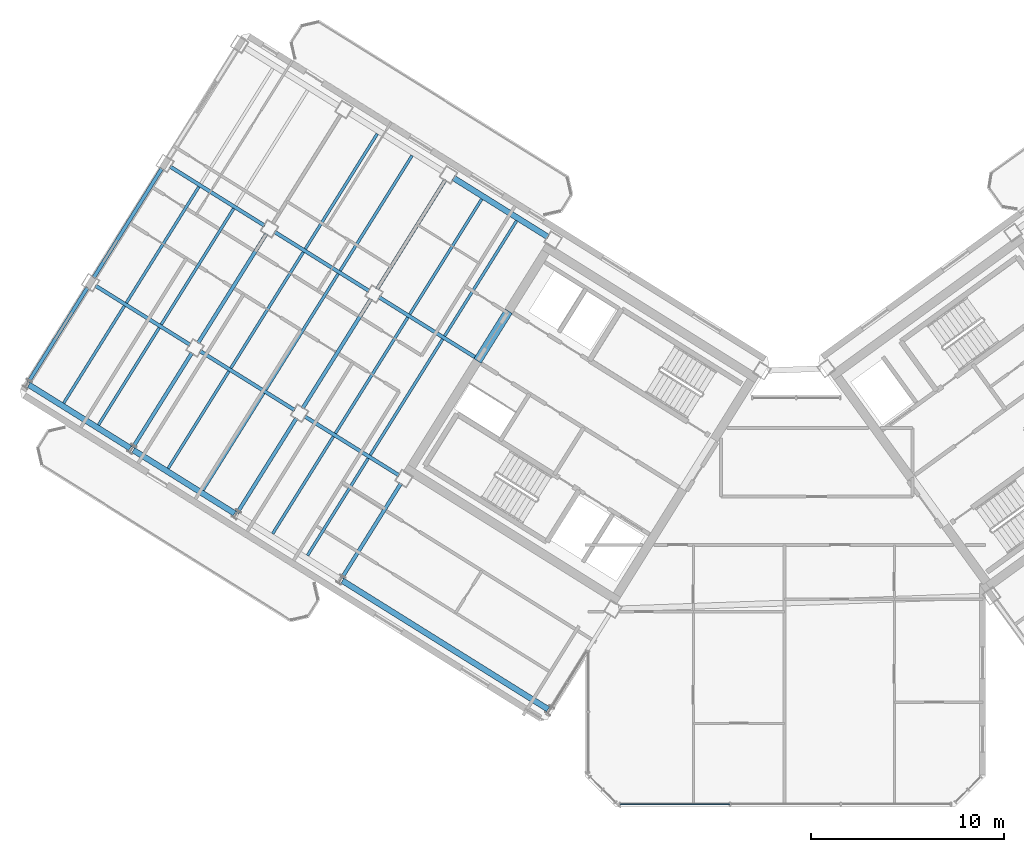
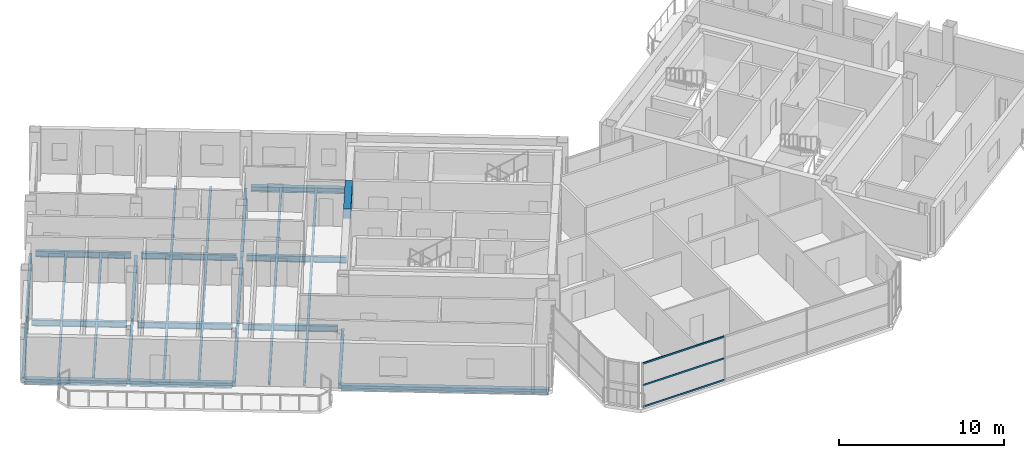
# One storey, part 7 of 25: 35 beams, 3 members, 1 element without a shape of its own.
"""IFC4 building model written with IfcOpenShell, lengths in metres."""

from ifc_helpers import new_model, si_unit, direction, frame, origin, origin_2d, place, context, subcontext, project, spatial, rectangle, hollow_rectangle, i_section, extrude, source, transform, mapped, material, material_profile, profile_set, type_object, element, aggregate, save


model = new_model("IFC4")

# Units and contexts
model_context = context("Model", 3, precision=1e-05, world=origin(), true_north=direction((0.0, 1.0)))
body_context = subcontext(model_context, "Body", "Model", "MODEL_VIEW")
ifc_project = project(units=[si_unit("LENGTHUNIT", "METRE"), si_unit("AREAUNIT", "SQUARE_METRE"), si_unit("VOLUMEUNIT", "CUBIC_METRE"), si_unit("PLANEANGLEUNIT", "RADIAN"), si_unit("MASSUNIT", "GRAM", prefix="KILO")], contexts=[model_context])

# Site, building, storey
site_placement = place(None, origin())
site = spatial("IfcSite", under=ifc_project, at=site_placement, CompositionType="ELEMENT")
building_placement = place(site_placement, origin())
building = spatial("IfcBuilding", under=site, at=building_placement, Name="Tlacorven Tower", CompositionType="ELEMENT")
storey_placement = place(building_placement, frame((0.0, 0.0, 251.10009765625)))
storey = spatial("IfcBuildingStorey", under=building, at=storey_placement, Name="L63", CompositionType="ELEMENT", Elevation=251.10009765625)

# Beams
ifc_material_1 = material(Name="Concrete C60/75", Category="concrete")
ifc_material_profile_1 = material_profile(ifc_material_1, rectangle(XDim=0.449951171875, YDim=0.699951171875, at=origin_2d()), Name="RC 450X700")
ifc_profile_set_1 = profile_set([ifc_material_profile_1], Name="Concrete C60/75")
beam_type_1 = type_object("IfcBeamType", Name="BM-LNT-700", PredefinedType="LINTEL", material=ifc_profile_set_1)
shared_shape_1 = source(origin(), body_context, "Body", "SweptSolid", [
    extrude(rectangle(XDim=0.449951171875, YDim=0.699951171875, at=origin_2d()), origin(), (0.0, 0.0, 1.0), 3.0498046875),
])
beam_1_placement = place(storey_placement, frame((27.622802734375, 27.562255859375, 2.969970703125), z_axis=(-0.529926983584, -0.848043272522, 0.0), x_axis=(0.848043272522, -0.529926983584, 0.0)))
element("IfcBeam", 1, at=beam_1_placement, inside=storey, type_object=beam_type_1, Name="L63 W core coupling lintel beam E2", PredefinedType="LINTEL", context=body_context, shape_type="MappedRepresentation", body=[
    mapped(shared_shape_1, transform((0.0, 0.0, 0.0), scale=1.0)),
])
ifc_material_2 = material(Name="Steel S355J2", Category="steel")
ifc_material_profile_2 = material_profile(ifc_material_2, i_section(OverallWidth=0.300048828125, OverallDepth=0.389892578125, WebThickness=0.010986328125, FlangeThickness=0.01904296875, at=origin_2d()), Name="HEA 400")
ifc_profile_set_2 = profile_set([ifc_material_profile_2], Name="Steel S355J2")
beam_type_2 = type_object("IfcBeamType", Name="BM-SPN-400", PredefinedType="SPANDREL", material=ifc_profile_set_2)
shared_shape_2 = source(origin(), body_context, "Body", "SweptSolid", [
    extrude(i_section(OverallWidth=0.300048828125, OverallDepth=0.389892578125, WebThickness=0.010986328125, FlangeThickness=0.01904296875, at=origin_2d()), origin(), (0.0, 0.0, 1.0), 12.599853515625),
])
beam_2_placement = place(storey_placement, frame((29.67578125, 6.882080078125, -0.445068359375), z_axis=(-0.848045108756, 0.529924045043, 0.0), x_axis=(-0.529924045043, -0.848045108756, 0.0)))
element("IfcBeam", 2, at=beam_2_placement, inside=storey, type_object=beam_type_2, Name="L63 beam BM-L63-WL4-1", PredefinedType="SPANDREL", context=body_context, shape_type="MappedRepresentation", body=[
    mapped(shared_shape_2, transform((0.0, 0.0, 0.0), scale=1.0)),
])
shared_shape_3 = source(origin(), body_context, "Body", "SweptSolid", [
    extrude(i_section(OverallWidth=0.300048828125, OverallDepth=0.389892578125, WebThickness=0.010986328125, FlangeThickness=0.01904296875, at=origin_2d()), origin(), (0.0, 0.0, 1.0), 6.199951171875),
])
for number, where, z_axis, x_axis, name in (
    (3, (13.393310546875, 17.056396484375, -0.445068359375), (-0.848033697614, 0.529942306022, 0.0), (-0.529942306022, -0.848033697614, 0.0), "L63 beam BM-L63-WL4-4"),
    (4, (7.9658203125, 20.447998046875, -0.445068359375), (-0.848051394107, 0.529913986372, 0.0), (-0.529913986372, -0.848051394107, 0.0), "L63 beam BM-L63-WL4-5"),
):
    element("IfcBeam", number, at=place(storey_placement, frame(where, z_axis=z_axis, x_axis=x_axis)), inside=storey, type_object=beam_type_2, Name=name, PredefinedType="SPANDREL", context=body_context, shape_type="MappedRepresentation", body=[
        mapped(shared_shape_3, transform((0.0, 0.0, 0.0), scale=1.0)),
    ])
shared_shape_4 = source(origin(), body_context, "Body", "SweptSolid", [
    extrude(i_section(OverallWidth=0.300048828125, OverallDepth=0.389892578125, WebThickness=0.010986328125, FlangeThickness=0.01904296875, at=origin_2d()), origin(), (0.0, 0.0, 1.0), 5.800048828125),
])
beam_3_placement = place(storey_placement, frame((29.673583984375, 31.410400390625, -0.445068359375), z_axis=(-0.848052689693, 0.529911912967, 0.0), x_axis=(-0.529911912967, -0.848052689693, 0.0)))
element("IfcBeam", 5, at=beam_3_placement, inside=storey, type_object=beam_type_2, Name="L63 beam BM-L63-WL1-3", PredefinedType="SPANDREL", context=body_context, shape_type="MappedRepresentation", body=[
    mapped(shared_shape_4, transform((0.0, 0.0, 0.0), scale=1.0)),
])
ifc_material_profile_3 = material_profile(ifc_material_2, i_section(OverallWidth=0.14990234375, OverallDepth=0.300048828125, WebThickness=0.007080078125, FlangeThickness=0.0107421875, at=origin_2d()), Name="IPE 300")
ifc_profile_set_3 = profile_set([ifc_material_profile_3], Name="Steel S355J2")
beam_type_3 = type_object("IfcBeamType", Name="BM-JST-300", PredefinedType="JOIST", material=ifc_profile_set_3)
shared_shape_5 = source(origin(), body_context, "Body", "SweptSolid", [
    extrude(i_section(OverallWidth=0.14990234375, OverallDepth=0.300048828125, WebThickness=0.007080078125, FlangeThickness=0.0107421875, at=origin_2d()), origin(), (0.0, 0.0, 1.0), 7.10009765625),
])
for number, where, z_axis, x_axis, name in (
    (6, (22.38818359375, 27.23681640625, -0.400146484375), (-0.529915484902, -0.848050457733, 0.0), (0.848050457733, -0.529915484902, 0.0), "L63 beam BM-L63-WJ3-2-2"),
    (7, (11.533203125, 34.019775390625, -0.400146484375), (-0.529915484902, -0.848050457733, 0.0), (0.848050457733, -0.529915484902, 0.0), "L63 beam BM-L63-WJ5-2-2"),
):
    element("IfcBeam", number, at=place(storey_placement, frame(where, z_axis=z_axis, x_axis=x_axis)), inside=storey, type_object=beam_type_3, Name=name, PredefinedType="JOIST", context=body_context, shape_type="MappedRepresentation", body=[
        mapped(shared_shape_5, transform((0.0, 0.0, 0.0), scale=1.0)),
    ])
shared_shape_6 = source(origin(), body_context, "Body", "SweptSolid", [
    extrude(i_section(OverallWidth=0.14990234375, OverallDepth=0.300048828125, WebThickness=0.007080078125, FlangeThickness=0.0107421875, at=origin_2d()), origin(), (0.0, 0.0, 1.0), 7.099853515625),
])
for number, where, z_axis, x_axis, name in (
    (8, (24.197509765625, 26.106201171875, -0.400146484375), (-0.529930937954, -0.848040801494, 0.0), (0.848040801494, -0.529930937954, 0.0), "L63 beam BM-L63-WJ3-2-1"),
    (9, (18.769775390625, 29.497802734375, -0.400146484375), (-0.529890754507, -0.848065910344, 0.0), (0.848065910344, -0.529890754507, 0.0), "L63 beam BM-L63-WJ4-2-1"),
    (10, (16.960693359375, 30.628173828125, -0.400146484375), (-0.529930937954, -0.848040801494, 0.0), (0.848040801494, -0.529930937954, 0.0), "L63 beam BM-L63-WJ4-2-2"),
    (11, (13.34228515625, 32.88916015625, -0.400146484375), (-0.529930937954, -0.848040801494, 0.0), (0.848040801494, -0.529930937954, 0.0), "L63 beam BM-L63-WJ5-2-1"),
):
    element("IfcBeam", number, at=place(storey_placement, frame(where, z_axis=z_axis, x_axis=x_axis)), inside=storey, type_object=beam_type_3, Name=name, PredefinedType="JOIST", context=body_context, shape_type="MappedRepresentation", body=[
        mapped(shared_shape_6, transform((0.0, 0.0, 0.0), scale=1.0)),
    ])
shared_shape_7 = source(origin(), body_context, "Body", "SweptSolid", [
    extrude(i_section(OverallWidth=0.14990234375, OverallDepth=0.300048828125, WebThickness=0.007080078125, FlangeThickness=0.0107421875, at=origin_2d()), origin(), (0.0, 0.0, 1.0), 7.044921875),
])
for number, where, z_axis, x_axis, name in (
    (12, (28.03662109375, 32.25048828125, -0.400146484375), (-0.529899256491, -0.848060598053, 0.0), (0.848060598053, -0.529899256491, 0.0), "L63 beam BM-L63-WJ3-1-1"),
    (13, (26.2275390625, 33.380859375, -0.400146484375), (-0.529939753148, -0.848035292917, 0.0), (0.848035292917, -0.529939753148, 0.0), "L63 beam BM-L63-WJ3-1-2"),
    (14, (22.609130859375, 35.641845703125, -0.400146484375), (-0.52991483005, -0.848050866925, 0.0), (0.848050866925, -0.52991483005, 0.0), "L63 beam BM-L63-WJ4-1-1"),
):
    element("IfcBeam", number, at=place(storey_placement, frame(where, z_axis=z_axis, x_axis=x_axis)), inside=storey, type_object=beam_type_3, Name=name, PredefinedType="JOIST", context=body_context, shape_type="MappedRepresentation", body=[
        mapped(shared_shape_7, transform((0.0, 0.0, 0.0), scale=1.0)),
    ])
shared_shape_8 = source(origin(), body_context, "Body", "SweptSolid", [
    extrude(i_section(OverallWidth=0.14990234375, OverallDepth=0.300048828125, WebThickness=0.007080078125, FlangeThickness=0.0107421875, at=origin_2d()), origin(), (0.0, 0.0, 1.0), 5.945068359375),
])
for number, where, z_axis, x_axis, name in (
    (15, (20.3291015625, 19.91552734375, -0.400146484375), (-0.529914037113, -0.848051362401, 0.0), (0.848051362401, -0.529914037113, 0.0), "L63 beam BM-L63-WJ3-3-1"),
    (16, (18.519775390625, 21.046142578125, -0.400146484375), (-0.529914037113, -0.848051362401, 0.0), (0.848051362401, -0.529914037113, 0.0), "L63 beam BM-L63-WJ3-3-2"),
    (17, (14.9013671875, 23.30712890625, -0.400146484375), (-0.529884501938, -0.848069817059, 0.0), (0.848069817059, -0.529884501938, 0.0), "L63 beam BM-L63-WJ4-3-1"),
    (18, (9.473876953125, 26.698486328125, -0.400146484375), (-0.529914037113, -0.848051362401, 0.0), (0.848051362401, -0.529914037113, 0.0), "L63 beam BM-L63-WJ5-3-1"),
    (19, (7.664794921875, 27.8291015625, -0.400146484375), (-0.529914037113, -0.848051362401, 0.0), (0.848051362401, -0.529914037113, 0.0), "L63 beam BM-L63-WJ5-3-2"),
):
    element("IfcBeam", number, at=place(storey_placement, frame(where, z_axis=z_axis, x_axis=x_axis)), inside=storey, type_object=beam_type_3, Name=name, PredefinedType="JOIST", context=body_context, shape_type="MappedRepresentation", body=[
        mapped(shared_shape_8, transform((0.0, 0.0, 0.0), scale=1.0)),
    ])
shared_shape_9 = source(origin(), body_context, "Body", "SweptSolid", [
    extrude(i_section(OverallWidth=0.14990234375, OverallDepth=0.300048828125, WebThickness=0.007080078125, FlangeThickness=0.0107421875, at=origin_2d()), origin(), (0.0, 0.0, 1.0), 7.045166015625),
])
beam_4_placement = place(storey_placement, frame((20.800048828125, 36.7724609375, -0.400146484375), z_axis=(-0.529924179428, -0.848045024782, 0.0), x_axis=(0.848045024782, -0.529924179428, 0.0)))
element("IfcBeam", 20, at=beam_4_placement, inside=storey, type_object=beam_type_3, Name="L63 beam BM-L63-WJ4-1-2", PredefinedType="JOIST", context=body_context, shape_type="MappedRepresentation", body=[
    mapped(shared_shape_9, transform((0.0, 0.0, 0.0), scale=1.0)),
])
shared_shape_10 = source(origin(), body_context, "Body", "SweptSolid", [
    extrude(i_section(OverallWidth=0.14990234375, OverallDepth=0.300048828125, WebThickness=0.007080078125, FlangeThickness=0.0107421875, at=origin_2d()), origin(), (0.0, 0.0, 1.0), 5.94482421875),
])
beam_5_placement = place(storey_placement, frame((13.09228515625, 24.4375, -0.400146484375), z_axis=(-0.529932492401, -0.848039830136, 0.0), x_axis=(0.848039830136, -0.529932492401, 0.0)))
element("IfcBeam", 21, at=beam_5_placement, inside=storey, type_object=beam_type_3, Name="L63 beam BM-L63-WJ4-3-2", PredefinedType="JOIST", context=body_context, shape_type="MappedRepresentation", body=[
    mapped(shared_shape_10, transform((0.0, 0.0, 0.0), scale=1.0)),
])
ifc_material_profile_4 = material_profile(ifc_material_2, i_section(OverallWidth=0.18994140625, OverallDepth=0.449951171875, WebThickness=0.009521484375, FlangeThickness=0.0146484375, at=origin_2d()), Name="IPE 450")
ifc_profile_set_4 = profile_set([ifc_material_profile_4], Name="Steel S355J2")
beam_type_4 = type_object("IfcBeamType", Name="BM-TWR-450", PredefinedType="BEAM", material=ifc_profile_set_4)
shared_shape_11 = source(origin(), body_context, "Body", "SweptSolid", [
    extrude(i_section(OverallWidth=0.18994140625, OverallDepth=0.449951171875, WebThickness=0.009521484375, FlangeThickness=0.0146484375, at=origin_2d()), origin(), (0.0, 0.0, 1.0), 6.06005859375),
])
beam_6_placement = place(storey_placement, frame((26.025634765625, 25.081787109375, -0.47509765625), z_axis=(-0.848039041052, 0.529933755154, 0.0), x_axis=(-0.529933755154, -0.848039041052, 0.0)))
element("IfcBeam", 22, at=beam_6_placement, inside=storey, type_object=beam_type_4, Name="L63 beam BM-L63-WL2-3", PredefinedType="BEAM", context=body_context, shape_type="MappedRepresentation", body=[
    mapped(shared_shape_11, transform((0.0, 0.0, 0.0), scale=1.0)),
])
shared_shape_12 = source(origin(), body_context, "Body", "SweptSolid", [
    extrude(i_section(OverallWidth=0.18994140625, OverallDepth=0.449951171875, WebThickness=0.009521484375, FlangeThickness=0.0146484375, at=origin_2d()), origin(), (0.0, 0.0, 1.0), 5.800048828125),
])
for number, where, z_axis, x_axis, name in (
    (23, (20.377685546875, 28.611083984375, -0.47509765625), (-0.848052689693, 0.529911912967, 0.0), (-0.529911912967, -0.848052689693, 0.0), "L63 beam BM-L63-WL2-4"),
    (24, (14.9501953125, 32.00244140625, -0.47509765625), (-0.848033773154, 0.52994218514, 0.0), (-0.52994218514, -0.848033773154, 0.0), "L63 beam BM-L63-WL2-5"),
    (25, (21.936767578125, 19.02880859375, -0.47509765625), (-0.848052689693, 0.529911912967, 0.0), (-0.529911912967, -0.848052689693, 0.0), "L63 beam BM-L63-WL3-3"),
    (26, (16.50927734375, 22.42041015625, -0.47509765625), (-0.848052689693, 0.529911912967, 0.0), (-0.529911912967, -0.848052689693, 0.0), "L63 beam BM-L63-WL3-4"),
    (27, (11.081787109375, 25.811767578125, -0.47509765625), (-0.848052689693, 0.529911912967, 0.0), (-0.529911912967, -0.848052689693, 0.0), "L63 beam BM-L63-WL3-5"),
    (28, (22.0322265625, 18.615478515625, -0.47509765625), (-0.52994218514, -0.848033773154, 0.0), (0.848033773154, -0.52994218514, 0.0), "L63 beam BM-L63-WT3-2"),
    (29, (16.604736328125, 22.0068359375, -0.47509765625), (-0.52994218514, -0.848033773154, 0.0), (0.848033773154, -0.52994218514, 0.0), "L63 beam BM-L63-WT4-3"),
    (30, (11.17724609375, 25.3984375, -0.47509765625), (-0.52994218514, -0.848033773154, 0.0), (0.848033773154, -0.52994218514, 0.0), "L63 beam BM-L63-WT5-3"),
    (31, (5.74951171875, 28.789794921875, -0.47509765625), (-0.529911912967, -0.848052689693, 0.0), (0.848052689693, -0.529911912967, 0.0), "L63 beam BM-L63-WT6-3"),
):
    element("IfcBeam", number, at=place(storey_placement, frame(where, z_axis=z_axis, x_axis=x_axis)), inside=storey, type_object=beam_type_4, Name=name, PredefinedType="BEAM", context=body_context, shape_type="MappedRepresentation", body=[
        mapped(shared_shape_12, transform((0.0, 0.0, 0.0), scale=1.0)),
    ])
shared_shape_13 = source(origin(), body_context, "Body", "SweptSolid", [
    extrude(i_section(OverallWidth=0.18994140625, OverallDepth=0.449951171875, WebThickness=0.009521484375, FlangeThickness=0.0146484375, at=origin_2d()), origin(), (0.0, 0.0, 1.0), 6.699951171875),
])
for number, where, z_axis, x_axis, name in (
    (32, (24.341552734375, 34.388427734375, -0.47509765625), (-0.529930154818, -0.848041290867, 0.0), (0.848041290867, -0.529930154818, 0.0), "L63 beam BM-L63-WT4-1"),
    (33, (20.47314453125, 28.19775390625, -0.47509765625), (-0.529930154818, -0.848041290867, 0.0), (0.848041290867, -0.529930154818, 0.0), "L63 beam BM-L63-WT4-2"),
    (34, (15.045654296875, 31.589111328125, -0.47509765625), (-0.529930154818, -0.848041290867, 0.0), (0.848041290867, -0.529930154818, 0.0), "L63 beam BM-L63-WT5-2"),
    (35, (9.617919921875, 34.980712890625, -0.47509765625), (-0.529903948186, -0.848057666493, 0.0), (0.848057666493, -0.529903948186, 0.0), "L63 beam BM-L63-WT6-2"),
):
    element("IfcBeam", number, at=place(storey_placement, frame(where, z_axis=z_axis, x_axis=x_axis)), inside=storey, type_object=beam_type_4, Name=name, PredefinedType="BEAM", context=body_context, shape_type="MappedRepresentation", body=[
        mapped(shared_shape_13, transform((0.0, 0.0, 0.0), scale=1.0)),
    ])

# Curtain wall, members
ifc_material_3 = material(Name="Dark solar low-E double glazing in aluminium frame", Category="aluminium")
curtain_wall_type = type_object("IfcCurtainWallType", Name="CW-TWR-HIGH", PredefinedType="USERDEFINED", material=ifc_material_3)
curtain_wall_placement = place(storey_placement, origin())
curtain_wall = element("IfcCurtainWall", 36, at=curtain_wall_placement, inside=storey, type_object=curtain_wall_type, Name="L63 CW-TWR-HIGH Curtain Wall 291", ObjectType="UNITISED CURTAIN WALL", PredefinedType="USERDEFINED")
ifc_material_4 = material(Name="Aluminium 6063-T6 anodised", Category="aluminium")
ifc_material_profile_5 = material_profile(ifc_material_4, hollow_rectangle(XDim=0.054931640625, YDim=0.1201171875, WallThickness=0.00341796875, at=origin_2d()), Name="ALU TRANSOM 55X120")
ifc_profile_set_5 = profile_set([ifc_material_profile_5], Name="Aluminium 6063-T6 anodised")
member_type = type_object("IfcMemberType", Name="CWT-03", PredefinedType="USERDEFINED", material=ifc_profile_set_5)
shared_shape_14 = source(origin(), body_context, "Body", "SweptSolid", [
    extrude(hollow_rectangle(XDim=0.054931640625, YDim=0.1201171875, WallThickness=0.00341796875, at=origin_2d()), origin(), (0.0, 0.0, 1.0), 5.689697265625),
])
member_1_placement = place(storey_placement, frame((39.10400390625, 1.9599609375, 0.059814453125), z_axis=(-1.0, 0.0, 0.0), x_axis=(0.0, -1.0, 0.0)))
member_1 = element("IfcMember", 37, at=member_1_placement, type_object=member_type, Name="CW-L63-291 Transom 7", ObjectType="TRANSOM", PredefinedType="USERDEFINED", context=body_context, shape_type="MappedRepresentation", body=[
    mapped(shared_shape_14, transform((0.0, 0.0, 0.0), scale=1.0)),
])
member_2_placement = place(storey_placement, frame((39.10400390625, 1.9599609375, 1.659912109375), z_axis=(-1.0, 0.0, 0.0), x_axis=(0.0, -1.0, 0.0)))
member_2 = element("IfcMember", 38, at=member_2_placement, type_object=member_type, Name="CW-L63-291 Transom 8", ObjectType="TRANSOM", PredefinedType="USERDEFINED", context=body_context, shape_type="MappedRepresentation", body=[
    mapped(shared_shape_14, transform((0.0, 0.0, 0.0), scale=1.0)),
])
member_3_placement = place(storey_placement, frame((39.10400390625, 1.9599609375, 3.260009765625), z_axis=(-1.0, 0.0, 0.0), x_axis=(0.0, -1.0, 0.0)))
member_3 = element("IfcMember", 39, at=member_3_placement, type_object=member_type, Name="CW-L63-291 Transom 9", ObjectType="TRANSOM", PredefinedType="USERDEFINED", context=body_context, shape_type="MappedRepresentation", body=[
    mapped(shared_shape_14, transform((0.0, 0.0, 0.0), scale=1.0)),
])
aggregate(curtain_wall, [member_1, member_2, member_3])

save(model, "model.ifc")
